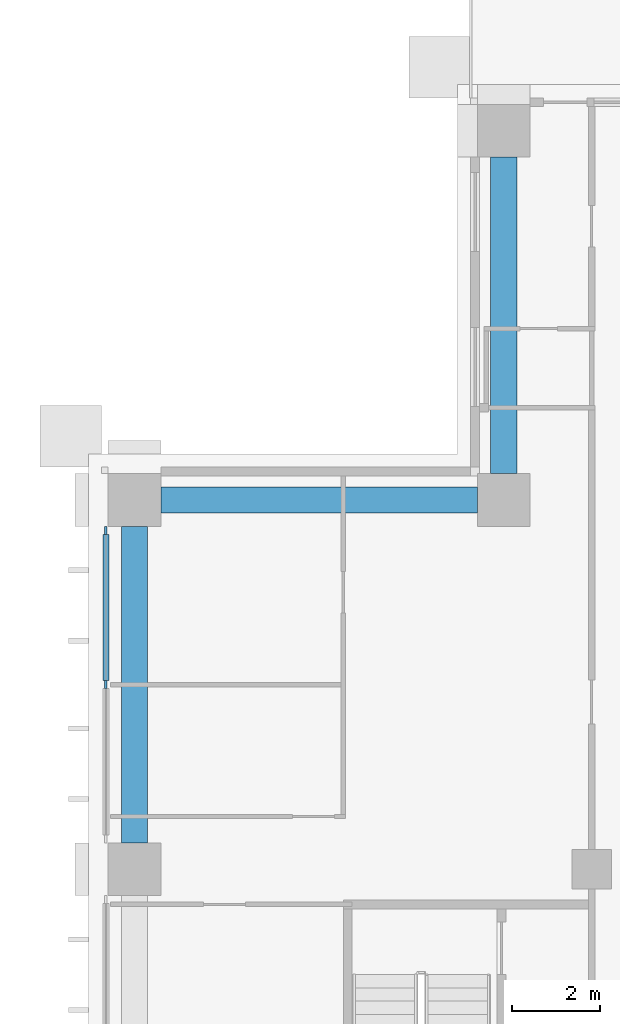
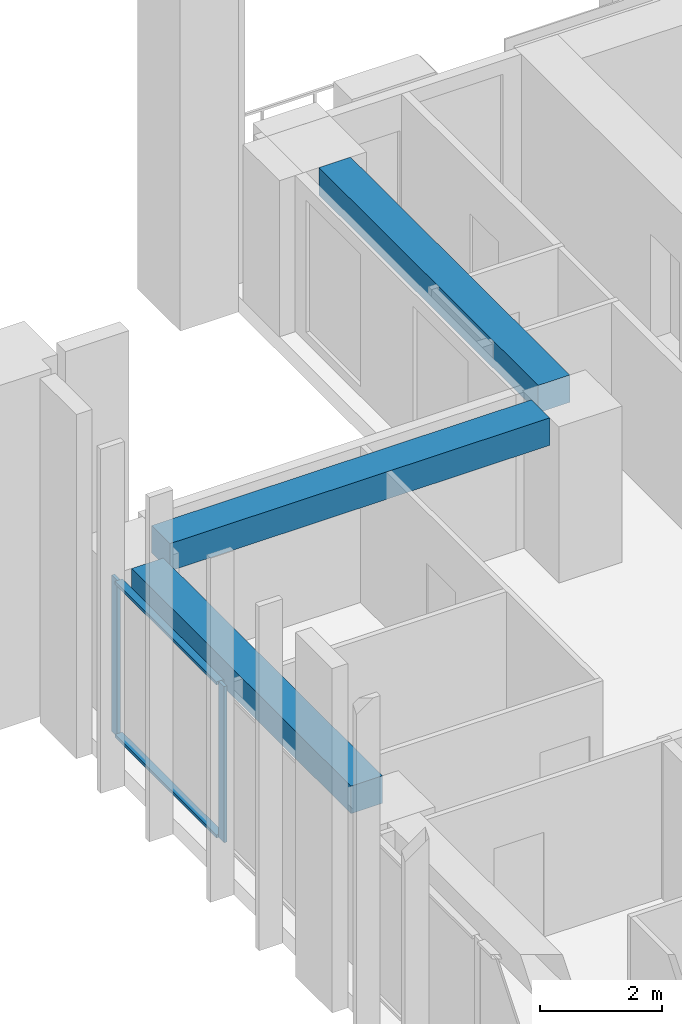
# One storey, part 5 of 19: 4 members, 3 beams, 1 element without a shape of its own.
"""IFC4 building model written with IfcOpenShell, lengths in metres."""

from ifc_helpers import new_model, si_unit, direction, frame, origin, origin_2d, place, context, subcontext, project, spatial, rectangle, extrude, material, material_profile, profile_set, type_object, element, aggregate, save


model = new_model("IFC4")

# Units and contexts
model_context = context("Model", 3, precision=1e-05, world=origin(), true_north=direction((0.0, 1.0)))
body_context = subcontext(model_context, "Body", "Model", "MODEL_VIEW")
ifc_project = project(units=[si_unit("LENGTHUNIT", "METRE"), si_unit("AREAUNIT", "SQUARE_METRE"), si_unit("VOLUMEUNIT", "CUBIC_METRE"), si_unit("PLANEANGLEUNIT", "RADIAN"), si_unit("MASSUNIT", "GRAM", prefix="KILO")], contexts=[model_context])

# Site, building, storey
site_placement = place(None, origin())
site = spatial("IfcSite", under=ifc_project, at=site_placement, CompositionType="ELEMENT")
building_placement = place(site_placement, origin())
building = spatial("IfcBuilding", under=site, at=building_placement, Name="Vermilion Ogive Tower", CompositionType="ELEMENT")
storey_placement = place(building_placement, frame((0.0, 0.0, 90.75)))
storey = spatial("IfcBuildingStorey", under=building, at=storey_placement, Name="L22", CompositionType="ELEMENT", Elevation=90.75)

# Curtain wall, members
ifc_material_1 = material(Name="Low-iron laminated glazing in aluminium frame", Category="aluminium")
curtain_wall_type = type_object("IfcCurtainWallType", Name="Curtain wall CW7", PredefinedType="NOTDEFINED", material=ifc_material_1)
curtain_wall_placement = place(storey_placement, origin())
curtain_wall = element("IfcCurtainWall", 1, at=curtain_wall_placement, inside=storey, type_object=curtain_wall_type, Name="Glazed skin W1", PredefinedType="NOTDEFINED")
ifc_material_2 = material(Name="Aluminium mullion", Category="aluminium")
ifc_material_profile_1 = material_profile(ifc_material_2, rectangle(XDim=0.06005859375, YDim=0.179931640625, at=origin_2d()), Name="AL 60x180")
ifc_profile_set_1 = profile_set([ifc_material_profile_1], Name="Aluminium mullion")
member_type_1 = type_object("IfcMemberType", Name="CW7 mullion 60x180", PredefinedType="MULLION", material=ifc_profile_set_1)
member_1_placement = place(storey_placement, frame((-25.85009765625, 11.909912109375, 0.0), z_axis=(0.0, 0.0, 1.0), x_axis=(1.0, 0.0, 0.0)))
member_1 = element("IfcMember", 2, at=member_1_placement, type_object=member_type_1, Name="CW7-W1 mullion 1", PredefinedType="MULLION", context=body_context, shape_type="SweptSolid", body=[
    extrude(rectangle(XDim=0.06005859375, YDim=0.179931640625, at=origin_2d()), origin(), (0.0, 0.0, 1.0), 3.1298828125),
])
member_2_placement = place(storey_placement, frame((-25.85009765625, 8.39990234375, 0.0), z_axis=(0.0, 0.0, 1.0), x_axis=(1.0, 0.0, 0.0)))
member_2 = element("IfcMember", 3, at=member_2_placement, type_object=member_type_1, Name="CW7-W1 mullion 2", PredefinedType="MULLION", context=body_context, shape_type="SweptSolid", body=[
    extrude(rectangle(XDim=0.06005859375, YDim=0.179931640625, at=origin_2d()), origin(), (0.0, 0.0, 1.0), 3.1298828125),
])
ifc_material_3 = material(Name="Aluminium transom", Category="aluminium")
ifc_material_profile_2 = material_profile(ifc_material_3, rectangle(XDim=0.139892578125, YDim=0.06005859375, at=origin_2d()), Name="AL 60x140")
ifc_profile_set_2 = profile_set([ifc_material_profile_2], Name="Aluminium transom")
member_type_2 = type_object("IfcMemberType", Name="CW7 transom 60x140", PredefinedType="USERDEFINED", material=ifc_profile_set_2)
member_3_placement = place(storey_placement, frame((-25.85009765625, 11.820068359375, 0.030029296875), z_axis=(0.0, -1.0, 0.0), x_axis=(1.0, 0.0, 0.0)))
member_3 = element("IfcMember", 4, at=member_3_placement, type_object=member_type_2, Name="CW7-W1 transom 1.1", ObjectType="TRANSOM", PredefinedType="USERDEFINED", context=body_context, shape_type="SweptSolid", body=[
    extrude(rectangle(XDim=0.139892578125, YDim=0.06005859375, at=origin_2d()), origin(), (0.0, 0.0, 1.0), 3.330078125),
])
member_4_placement = place(storey_placement, frame((-25.85009765625, 11.820068359375, 3.10009765625), z_axis=(0.0, -1.0, 0.0), x_axis=(1.0, 0.0, 0.0)))
member_4 = element("IfcMember", 5, at=member_4_placement, type_object=member_type_2, Name="CW7-W1 transom 1.2", ObjectType="TRANSOM", PredefinedType="USERDEFINED", context=body_context, shape_type="SweptSolid", body=[
    extrude(rectangle(XDim=0.139892578125, YDim=0.06005859375, at=origin_2d()), origin(), (0.0, 0.0, 1.0), 3.330078125),
])
aggregate(curtain_wall, [member_1, member_2, member_3, member_4])

# Beams
ifc_material_4 = material(Name="Concrete B45", Category="concrete")
ifc_material_profile_3 = material_profile(ifc_material_4, rectangle(XDim=0.60009765625, YDim=0.550048828125, at=origin_2d()), Name="600 x 550")
ifc_profile_set_3 = profile_set([ifc_material_profile_3], Name="Concrete B45")
beam_type = type_object("IfcBeamType", Name="Edge beam 600 x 550 B45", PredefinedType="BEAM", material=ifc_profile_set_3)
beam_1_placement = place(storey_placement, frame((-16.800048828125, 20.39990234375, 2.85498046875), z_axis=(0.0, -1.0, 0.0), x_axis=(1.0, 0.0, 0.0)))
element("IfcBeam", 6, at=beam_1_placement, inside=storey, type_object=beam_type, Name="L22-EB-12", PredefinedType="BEAM", context=body_context, shape_type="SweptSolid", body=[
    extrude(rectangle(XDim=0.60009765625, YDim=0.550048828125, at=origin_2d()), origin(), (0.0, 0.0, 1.0), 7.199951171875),
])
beam_2_placement = place(storey_placement, frame((-17.39990234375, 12.60009765625, 2.85498046875), z_axis=(-1.0, 0.0, 0.0), x_axis=(0.0, -1.0, 0.0)))
element("IfcBeam", 7, at=beam_2_placement, inside=storey, type_object=beam_type, Name="L22-EB-13", PredefinedType="BEAM", context=body_context, shape_type="SweptSolid", body=[
    extrude(rectangle(XDim=0.60009765625, YDim=0.550048828125, at=origin_2d()), origin(), (0.0, 0.0, 1.0), 7.2001953125),
])
beam_3_placement = place(storey_placement, frame((-25.199951171875, 12.0, 2.85498046875), z_axis=(0.0, -1.0, 0.0), x_axis=(1.0, 0.0, 0.0)))
element("IfcBeam", 8, at=beam_3_placement, inside=storey, type_object=beam_type, Name="L22-EB-14", PredefinedType="BEAM", context=body_context, shape_type="SweptSolid", body=[
    extrude(rectangle(XDim=0.60009765625, YDim=0.550048828125, at=origin_2d()), origin(), (0.0, 0.0, 1.0), 7.199951171875),
])

save(model, "model.ifc")
